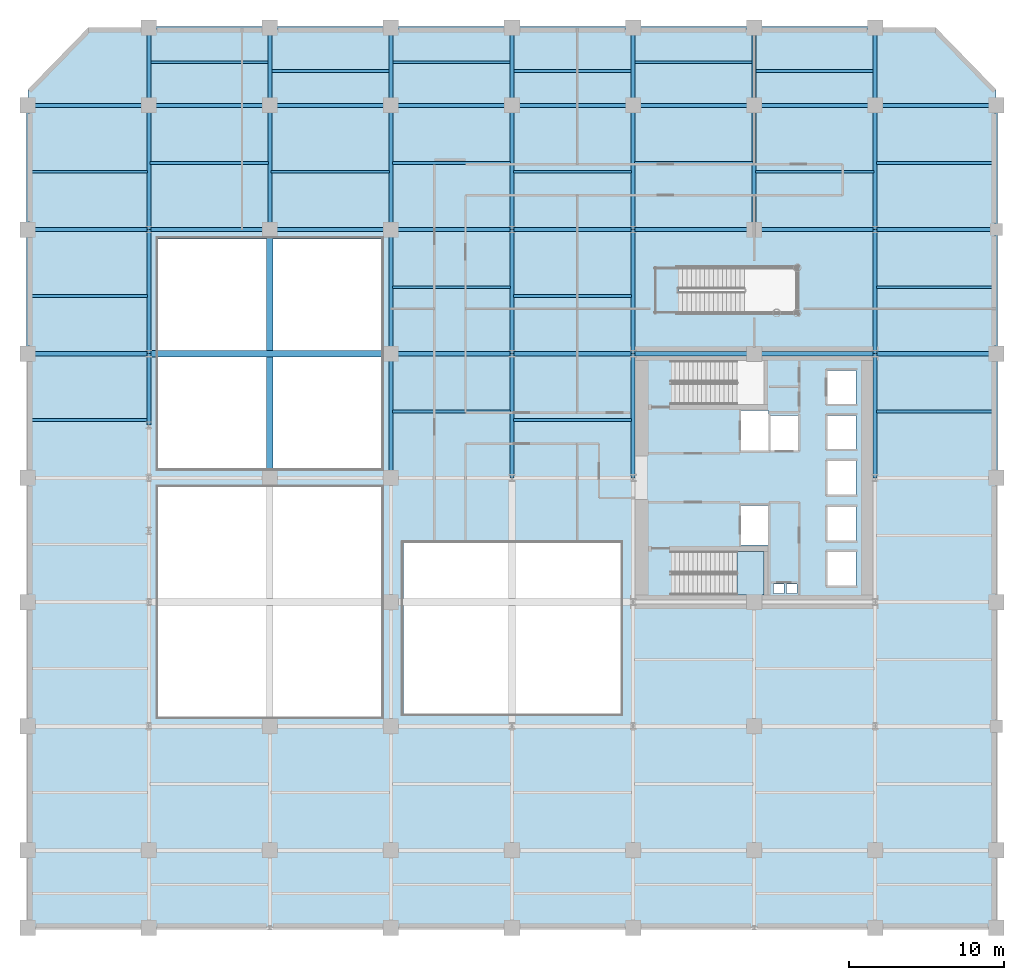
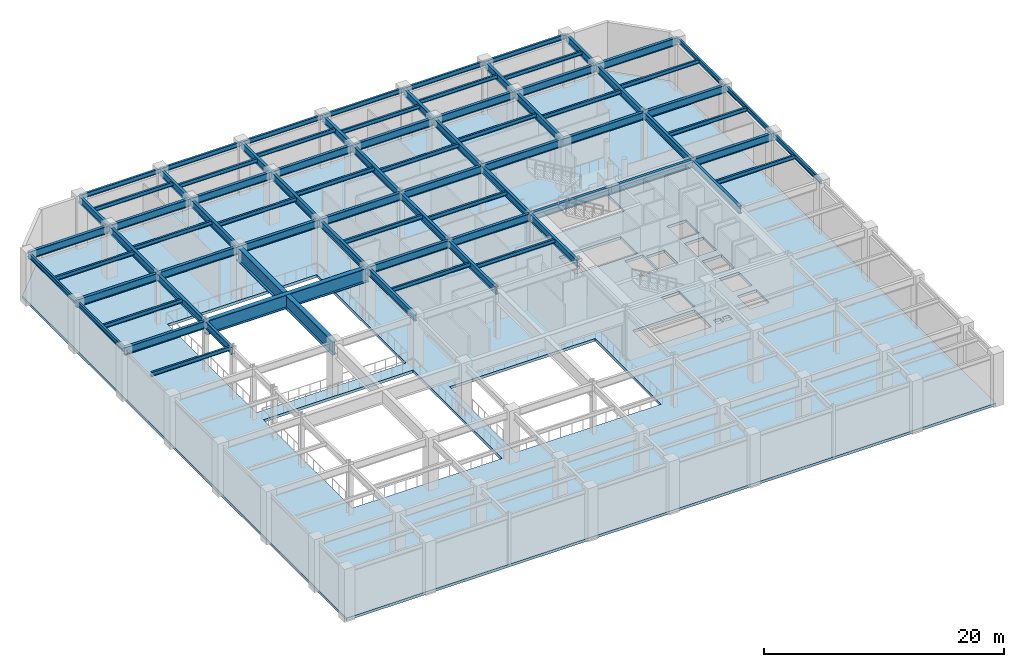
# One storey, part 7 of 15: 81 beams, 2 slabs, 1 element without a shape of its own.
"""IFC4 building model written with IfcOpenShell, lengths in metres."""

from ifc_helpers import new_model, si_unit, direction, frame, origin, origin_2d, place, context, subcontext, project, spatial, polyline, i_section, outline, extrude, material, layer, layer_set, material_profile, profile_set, type_object, element, aggregate, save


model = new_model("IFC4")

# Units and contexts
model_context = context("Model", 3, precision=1e-05, world=origin(), true_north=direction((0.0, 1.0)))
body_context = subcontext(model_context, "Body", "Model", "MODEL_VIEW")
ifc_project = project(units=[si_unit("LENGTHUNIT", "METRE"), si_unit("AREAUNIT", "SQUARE_METRE"), si_unit("VOLUMEUNIT", "CUBIC_METRE"), si_unit("PLANEANGLEUNIT", "RADIAN"), si_unit("MASSUNIT", "GRAM", prefix="KILO")], contexts=[model_context])

# Site, building, storey
site_placement = place(None, origin())
site = spatial("IfcSite", under=ifc_project, at=site_placement, CompositionType="ELEMENT")
building_placement = place(site_placement, origin())
building = spatial("IfcBuilding", under=site, at=building_placement, Name="Veymaron Broadcast Tower", CompositionType="ELEMENT")
storey_placement = place(building_placement, frame((0.0, 0.0, 5.39990234375)))
storey = spatial("IfcBuildingStorey", under=building, at=storey_placement, Name="L01", CompositionType="ELEMENT", Elevation=5.39990234375)

# Beams
ifc_material_1 = material(Name="Structural steel ASTM A992 Gr 50", Category="steel")
ifc_material_profile_1 = material_profile(ifc_material_1, i_section(OverallWidth=0.177978515625, OverallDepth=0.406982421875, WebThickness=0.0078125, FlangeThickness=0.0126953125, at=origin_2d()), Name="W410X60")
ifc_profile_set_1 = profile_set([ifc_material_profile_1], Name="Structural steel ASTM A992 Gr 50")
beam_type_1 = type_object("IfcBeamType", Name="BM-JS1", PredefinedType="JOIST", material=ifc_profile_set_1)
for number, where, z_axis, x_axis, name in (
    (1, (0.0849609375, 27.719970703125, 4.91650390625), (1.0, 0.0, 0.0), (0.0, 1.0, 0.0), "L01 podium secondary floor joist"),
    (2, (0.0849609375, 35.719970703125, 4.91650390625), (1.0, 0.0, 0.0), (0.0, 1.0, 0.0), "L01 podium secondary floor joist"),
    (3, (0.0849609375, 43.719970703125, 4.91650390625), (1.0, 0.0, 0.0), (0.0, 1.0, 0.0), "L01 podium secondary floor joist"),
):
    element("IfcBeam", number, at=place(storey_placement, frame(where, z_axis=z_axis, x_axis=x_axis)), inside=storey, type_object=beam_type_1, Name=name, PredefinedType="JOIST", context=body_context, shape_type="SweptSolid", body=[
        extrude(i_section(OverallWidth=0.177978515625, OverallDepth=0.406982421875, WebThickness=0.0078125, FlangeThickness=0.0126953125, at=origin_2d()), origin(), (0.0, 0.0, 1.0), 7.630126953125),
    ])
for number, where, z_axis, x_axis, name in (
    (4, (7.885009765625, 44.280029296875, 4.91650390625), (1.0, 0.0, 0.0), (0.0, 1.0, 0.0), "L01 podium secondary floor joist"),
    (5, (7.885009765625, 50.780029296875, 4.91650390625), (1.0, 0.0, 0.0), (0.0, 1.0, 0.0), "L01 podium secondary floor joist"),
    (6, (15.68505859375, 43.719970703125, 4.91650390625), (1.0, 0.0, 0.0), (0.0, 1.0, 0.0), "L01 podium secondary floor joist"),
    (7, (15.68505859375, 50.219970703125, 4.91650390625), (1.0, 0.0, 0.0), (0.0, 1.0, 0.0), "L01 podium secondary floor joist"),
    (8, (23.485107421875, 28.280029296875, 4.91650390625), (1.0, 0.0, 0.0), (0.0, 1.0, 0.0), "L01 podium secondary floor joist"),
    (9, (23.485107421875, 36.280029296875, 4.91650390625), (1.0, 0.0, 0.0), (0.0, 1.0, 0.0), "L01 podium secondary floor joist"),
    (10, (23.485107421875, 44.280029296875, 4.91650390625), (1.0, 0.0, 0.0), (0.0, 1.0, 0.0), "L01 podium secondary floor joist"),
    (11, (23.485107421875, 50.780029296875, 4.91650390625), (1.0, 0.0, 0.0), (0.0, 1.0, 0.0), "L01 podium secondary floor joist"),
):
    element("IfcBeam", number, at=place(storey_placement, frame(where, z_axis=z_axis, x_axis=x_axis)), inside=storey, type_object=beam_type_1, Name=name, PredefinedType="JOIST", context=body_context, shape_type="SweptSolid", body=[
        extrude(i_section(OverallWidth=0.177978515625, OverallDepth=0.406982421875, WebThickness=0.0078125, FlangeThickness=0.0126953125, at=origin_2d()), origin(), (0.0, 0.0, 1.0), 7.6298828125),
    ])
for number, where, z_axis, x_axis, name in (
    (12, (31.284912109375, 27.719970703125, 4.91650390625), (1.0, 0.0, 0.0), (0.0, 1.0, 0.0), "L01 podium secondary floor joist"),
    (13, (31.284912109375, 35.719970703125, 4.91650390625), (1.0, 0.0, 0.0), (0.0, 1.0, 0.0), "L01 podium secondary floor joist"),
    (14, (31.284912109375, 43.719970703125, 4.91650390625), (1.0, 0.0, 0.0), (0.0, 1.0, 0.0), "L01 podium secondary floor joist"),
    (15, (31.284912109375, 50.219970703125, 4.91650390625), (1.0, 0.0, 0.0), (0.0, 1.0, 0.0), "L01 podium secondary floor joist"),
    (16, (39.0849609375, 44.280029296875, 4.91650390625), (1.0, 0.0, 0.0), (0.0, 1.0, 0.0), "L01 podium secondary floor joist"),
    (17, (39.0849609375, 50.780029296875, 4.91650390625), (1.0, 0.0, 0.0), (0.0, 1.0, 0.0), "L01 podium secondary floor joist"),
):
    element("IfcBeam", number, at=place(storey_placement, frame(where, z_axis=z_axis, x_axis=x_axis)), inside=storey, type_object=beam_type_1, Name=name, PredefinedType="JOIST", context=body_context, shape_type="SweptSolid", body=[
        extrude(i_section(OverallWidth=0.177978515625, OverallDepth=0.406982421875, WebThickness=0.0078125, FlangeThickness=0.0126953125, at=origin_2d()), origin(), (0.0, 0.0, 1.0), 7.630126953125),
    ])
for number, where, z_axis, x_axis, name in (
    (18, (46.885009765625, 43.719970703125, 4.91650390625), (1.0, 0.0, 0.0), (0.0, 1.0, 0.0), "L01 podium secondary floor joist"),
    (19, (46.885009765625, 50.219970703125, 4.91650390625), (1.0, 0.0, 0.0), (0.0, 1.0, 0.0), "L01 podium secondary floor joist"),
    (20, (54.68505859375, 28.280029296875, 4.91650390625), (1.0, 0.0, 0.0), (0.0, 1.0, 0.0), "L01 podium secondary floor joist"),
    (21, (54.68505859375, 36.280029296875, 4.91650390625), (1.0, 0.0, 0.0), (0.0, 1.0, 0.0), "L01 podium secondary floor joist"),
    (22, (54.68505859375, 44.280029296875, 4.91650390625), (1.0, 0.0, 0.0), (0.0, 1.0, 0.0), "L01 podium secondary floor joist"),
):
    element("IfcBeam", number, at=place(storey_placement, frame(where, z_axis=z_axis, x_axis=x_axis)), inside=storey, type_object=beam_type_1, Name=name, PredefinedType="JOIST", context=body_context, shape_type="SweptSolid", body=[
        extrude(i_section(OverallWidth=0.177978515625, OverallDepth=0.406982421875, WebThickness=0.0078125, FlangeThickness=0.0126953125, at=origin_2d()), origin(), (0.0, 0.0, 1.0), 7.6298828125),
    ])
ifc_material_profile_2 = material_profile(ifc_material_1, i_section(OverallWidth=0.26806640625, OverallDepth=0.77001953125, WebThickness=0.015625, FlangeThickness=0.025390625, at=origin_2d()), Name="W760X196")
ifc_profile_set_2 = profile_set([ifc_material_profile_2], Name="Structural steel ASTM A992 Gr 50")
beam_type_2 = type_object("IfcBeamType", Name="BM-PG1", PredefinedType="BEAM", material=ifc_profile_set_2)
for number, where, z_axis, x_axis, name in (
    (23, (0.0, 32.0, 4.735107421875), (1.0, 0.0, 0.0), (0.0, 1.0, 0.0), "L01 podium primary X-girder"),
    (24, (23.39990234375, 32.0, 4.735107421875), (1.0, 0.0, 0.0), (0.0, 1.0, 0.0), "L01 podium primary X-girder"),
    (25, (31.199951171875, 32.0, 4.735107421875), (1.0, 0.0, 0.0), (0.0, 1.0, 0.0), "L01 podium primary X-girder"),
    (26, (39.0, 32.0, 4.735107421875), (1.0, 0.0, 0.0), (0.0, 1.0, 0.0), "L01 podium primary X-girder"),
    (27, (46.800048828125, 32.0, 4.735107421875), (1.0, 0.0, 0.0), (0.0, 1.0, 0.0), "L01 podium primary X-girder"),
):
    element("IfcBeam", number, at=place(storey_placement, frame(where, z_axis=z_axis, x_axis=x_axis)), inside=storey, type_object=beam_type_2, Name=name, PredefinedType="BEAM", context=body_context, shape_type="SweptSolid", body=[
        extrude(i_section(OverallWidth=0.26806640625, OverallDepth=0.77001953125, WebThickness=0.015625, FlangeThickness=0.025390625, at=origin_2d()), origin(), (0.0, 0.0, 1.0), 7.800048828125),
    ])
beam_1_placement = place(storey_placement, frame((54.60009765625, 32.0, 4.735107421875), z_axis=(1.0, 0.0, 0.0), x_axis=(0.0, 1.0, 0.0)))
element("IfcBeam", 28, at=beam_1_placement, inside=storey, type_object=beam_type_2, Name="L01 podium primary X-girder", PredefinedType="BEAM", context=body_context, shape_type="SweptSolid", body=[
    extrude(i_section(OverallWidth=0.26806640625, OverallDepth=0.77001953125, WebThickness=0.015625, FlangeThickness=0.025390625, at=origin_2d()), origin(), (0.0, 0.0, 1.0), 7.7998046875),
])
for number, where, z_axis, x_axis, name in (
    (29, (0.0, 40.0, 4.735107421875), (1.0, 0.0, 0.0), (0.0, 1.0, 0.0), "L01 podium primary X-girder"),
    (30, (7.800048828125, 40.0, 4.735107421875), (1.0, 0.0, 0.0), (0.0, 1.0, 0.0), "L01 podium primary X-girder"),
):
    element("IfcBeam", number, at=place(storey_placement, frame(where, z_axis=z_axis, x_axis=x_axis)), inside=storey, type_object=beam_type_2, Name=name, PredefinedType="BEAM", context=body_context, shape_type="SweptSolid", body=[
        extrude(i_section(OverallWidth=0.26806640625, OverallDepth=0.77001953125, WebThickness=0.015625, FlangeThickness=0.025390625, at=origin_2d()), origin(), (0.0, 0.0, 1.0), 7.800048828125),
    ])
beam_2_placement = place(storey_placement, frame((15.60009765625, 40.0, 4.735107421875), z_axis=(1.0, 0.0, 0.0), x_axis=(0.0, 1.0, 0.0)))
element("IfcBeam", 31, at=beam_2_placement, inside=storey, type_object=beam_type_2, Name="L01 podium primary X-girder", PredefinedType="BEAM", context=body_context, shape_type="SweptSolid", body=[
    extrude(i_section(OverallWidth=0.26806640625, OverallDepth=0.77001953125, WebThickness=0.015625, FlangeThickness=0.025390625, at=origin_2d()), origin(), (0.0, 0.0, 1.0), 7.7998046875),
])
for number, where, z_axis, x_axis, name in (
    (32, (23.39990234375, 40.0, 4.735107421875), (1.0, 0.0, 0.0), (0.0, 1.0, 0.0), "L01 podium primary X-girder"),
    (33, (31.199951171875, 40.0, 4.735107421875), (1.0, 0.0, 0.0), (0.0, 1.0, 0.0), "L01 podium primary X-girder"),
    (34, (39.0, 40.0, 4.735107421875), (1.0, 0.0, 0.0), (0.0, 1.0, 0.0), "L01 podium primary X-girder"),
    (35, (46.800048828125, 40.0, 4.735107421875), (1.0, 0.0, 0.0), (0.0, 1.0, 0.0), "L01 podium primary X-girder"),
):
    element("IfcBeam", number, at=place(storey_placement, frame(where, z_axis=z_axis, x_axis=x_axis)), inside=storey, type_object=beam_type_2, Name=name, PredefinedType="BEAM", context=body_context, shape_type="SweptSolid", body=[
        extrude(i_section(OverallWidth=0.26806640625, OverallDepth=0.77001953125, WebThickness=0.015625, FlangeThickness=0.025390625, at=origin_2d()), origin(), (0.0, 0.0, 1.0), 7.800048828125),
    ])
beam_3_placement = place(storey_placement, frame((54.60009765625, 40.0, 4.735107421875), z_axis=(1.0, 0.0, 0.0), x_axis=(0.0, 1.0, 0.0)))
element("IfcBeam", 36, at=beam_3_placement, inside=storey, type_object=beam_type_2, Name="L01 podium primary X-girder", PredefinedType="BEAM", context=body_context, shape_type="SweptSolid", body=[
    extrude(i_section(OverallWidth=0.26806640625, OverallDepth=0.77001953125, WebThickness=0.015625, FlangeThickness=0.025390625, at=origin_2d()), origin(), (0.0, 0.0, 1.0), 7.7998046875),
])
for number, where, z_axis, x_axis, name in (
    (37, (0.0, 48.0, 4.735107421875), (1.0, 0.0, 0.0), (0.0, 1.0, 0.0), "L01 podium primary X-girder"),
    (38, (7.800048828125, 48.0, 4.735107421875), (1.0, 0.0, 0.0), (0.0, 1.0, 0.0), "L01 podium primary X-girder"),
):
    element("IfcBeam", number, at=place(storey_placement, frame(where, z_axis=z_axis, x_axis=x_axis)), inside=storey, type_object=beam_type_2, Name=name, PredefinedType="BEAM", context=body_context, shape_type="SweptSolid", body=[
        extrude(i_section(OverallWidth=0.26806640625, OverallDepth=0.77001953125, WebThickness=0.015625, FlangeThickness=0.025390625, at=origin_2d()), origin(), (0.0, 0.0, 1.0), 7.800048828125),
    ])
beam_4_placement = place(storey_placement, frame((15.60009765625, 48.0, 4.735107421875), z_axis=(1.0, 0.0, 0.0), x_axis=(0.0, 1.0, 0.0)))
element("IfcBeam", 39, at=beam_4_placement, inside=storey, type_object=beam_type_2, Name="L01 podium primary X-girder", PredefinedType="BEAM", context=body_context, shape_type="SweptSolid", body=[
    extrude(i_section(OverallWidth=0.26806640625, OverallDepth=0.77001953125, WebThickness=0.015625, FlangeThickness=0.025390625, at=origin_2d()), origin(), (0.0, 0.0, 1.0), 7.7998046875),
])
for number, where, z_axis, x_axis, name in (
    (40, (23.39990234375, 48.0, 4.735107421875), (1.0, 0.0, 0.0), (0.0, 1.0, 0.0), "L01 podium primary X-girder"),
    (41, (31.199951171875, 48.0, 4.735107421875), (1.0, 0.0, 0.0), (0.0, 1.0, 0.0), "L01 podium primary X-girder"),
    (42, (39.0, 48.0, 4.735107421875), (1.0, 0.0, 0.0), (0.0, 1.0, 0.0), "L01 podium primary X-girder"),
    (43, (46.800048828125, 48.0, 4.735107421875), (1.0, 0.0, 0.0), (0.0, 1.0, 0.0), "L01 podium primary X-girder"),
):
    element("IfcBeam", number, at=place(storey_placement, frame(where, z_axis=z_axis, x_axis=x_axis)), inside=storey, type_object=beam_type_2, Name=name, PredefinedType="BEAM", context=body_context, shape_type="SweptSolid", body=[
        extrude(i_section(OverallWidth=0.26806640625, OverallDepth=0.77001953125, WebThickness=0.015625, FlangeThickness=0.025390625, at=origin_2d()), origin(), (0.0, 0.0, 1.0), 7.800048828125),
    ])
beam_5_placement = place(storey_placement, frame((54.60009765625, 48.0, 4.735107421875), z_axis=(1.0, 0.0, 0.0), x_axis=(0.0, 1.0, 0.0)))
element("IfcBeam", 44, at=beam_5_placement, inside=storey, type_object=beam_type_2, Name="L01 podium primary X-girder", PredefinedType="BEAM", context=body_context, shape_type="SweptSolid", body=[
    extrude(i_section(OverallWidth=0.26806640625, OverallDepth=0.77001953125, WebThickness=0.015625, FlangeThickness=0.025390625, at=origin_2d()), origin(), (0.0, 0.0, 1.0), 7.7998046875),
])
ifc_material_profile_3 = material_profile(ifc_material_1, i_section(OverallWidth=0.256103515625, OverallDepth=0.693115234375, WebThickness=0.014404296875, FlangeThickness=0.023681640625, at=origin_2d()), Name="W690X170")
ifc_profile_set_3 = profile_set([ifc_material_profile_3], Name="Structural steel ASTM A992 Gr 50")
beam_type_3 = type_object("IfcBeamType", Name="BM-PG2", PredefinedType="BEAM", material=ifc_profile_set_3)
beam_6_placement = place(storey_placement, frame((7.800048828125, 27.39990234375, 4.773681640625), z_axis=(0.0, 1.0, 0.0), x_axis=(-1.0, 0.0, 0.0)))
element("IfcBeam", 45, at=beam_6_placement, inside=storey, type_object=beam_type_3, Name="L01 podium primary Y-girder", PredefinedType="BEAM", context=body_context, shape_type="SweptSolid", body=[
    extrude(i_section(OverallWidth=0.256103515625, OverallDepth=0.693115234375, WebThickness=0.014404296875, FlangeThickness=0.023681640625, at=origin_2d()), origin(), (0.0, 0.0, 1.0), 4.60009765625),
])
for number, where, z_axis, x_axis, name in (
    (46, (7.800048828125, 32.0, 4.773681640625), (0.0, 1.0, 0.0), (-1.0, 0.0, 0.0), "L01 podium primary Y-girder"),
    (47, (7.800048828125, 40.0, 4.773681640625), (0.0, 1.0, 0.0), (-1.0, 0.0, 0.0), "L01 podium primary Y-girder"),
):
    element("IfcBeam", number, at=place(storey_placement, frame(where, z_axis=z_axis, x_axis=x_axis)), inside=storey, type_object=beam_type_3, Name=name, PredefinedType="BEAM", context=body_context, shape_type="SweptSolid", body=[
        extrude(i_section(OverallWidth=0.256103515625, OverallDepth=0.693115234375, WebThickness=0.014404296875, FlangeThickness=0.023681640625, at=origin_2d()), origin(), (0.0, 0.0, 1.0), 8.0),
    ])
beam_7_placement = place(storey_placement, frame((7.800048828125, 48.0, 4.773681640625), z_axis=(0.0, 1.0, 0.0), x_axis=(-1.0, 0.0, 0.0)))
element("IfcBeam", 48, at=beam_7_placement, inside=storey, type_object=beam_type_3, Name="L01 podium primary Y-girder", PredefinedType="BEAM", context=body_context, shape_type="SweptSolid", body=[
    extrude(i_section(OverallWidth=0.256103515625, OverallDepth=0.693115234375, WebThickness=0.014404296875, FlangeThickness=0.023681640625, at=origin_2d()), origin(), (0.0, 0.0, 1.0), 5.0),
])
beam_8_placement = place(storey_placement, frame((15.60009765625, 40.0, 4.773681640625), z_axis=(0.0, 1.0, 0.0), x_axis=(-1.0, 0.0, 0.0)))
element("IfcBeam", 49, at=beam_8_placement, inside=storey, type_object=beam_type_3, Name="L01 podium primary Y-girder", PredefinedType="BEAM", context=body_context, shape_type="SweptSolid", body=[
    extrude(i_section(OverallWidth=0.256103515625, OverallDepth=0.693115234375, WebThickness=0.014404296875, FlangeThickness=0.023681640625, at=origin_2d()), origin(), (0.0, 0.0, 1.0), 8.0),
])
beam_9_placement = place(storey_placement, frame((15.60009765625, 48.0, 4.773681640625), z_axis=(0.0, 1.0, 0.0), x_axis=(-1.0, 0.0, 0.0)))
element("IfcBeam", 50, at=beam_9_placement, inside=storey, type_object=beam_type_3, Name="L01 podium primary Y-girder", PredefinedType="BEAM", context=body_context, shape_type="SweptSolid", body=[
    extrude(i_section(OverallWidth=0.256103515625, OverallDepth=0.693115234375, WebThickness=0.014404296875, FlangeThickness=0.023681640625, at=origin_2d()), origin(), (0.0, 0.0, 1.0), 5.0),
])
for number, where, z_axis, x_axis, name in (
    (51, (23.39990234375, 24.0, 4.773681640625), (0.0, 1.0, 0.0), (-1.0, 0.0, 0.0), "L01 podium primary Y-girder"),
    (52, (23.39990234375, 32.0, 4.773681640625), (0.0, 1.0, 0.0), (-1.0, 0.0, 0.0), "L01 podium primary Y-girder"),
    (53, (23.39990234375, 40.0, 4.773681640625), (0.0, 1.0, 0.0), (-1.0, 0.0, 0.0), "L01 podium primary Y-girder"),
):
    element("IfcBeam", number, at=place(storey_placement, frame(where, z_axis=z_axis, x_axis=x_axis)), inside=storey, type_object=beam_type_3, Name=name, PredefinedType="BEAM", context=body_context, shape_type="SweptSolid", body=[
        extrude(i_section(OverallWidth=0.256103515625, OverallDepth=0.693115234375, WebThickness=0.014404296875, FlangeThickness=0.023681640625, at=origin_2d()), origin(), (0.0, 0.0, 1.0), 8.0),
    ])
beam_10_placement = place(storey_placement, frame((23.39990234375, 48.0, 4.773681640625), z_axis=(0.0, 1.0, 0.0), x_axis=(-1.0, 0.0, 0.0)))
element("IfcBeam", 54, at=beam_10_placement, inside=storey, type_object=beam_type_3, Name="L01 podium primary Y-girder", PredefinedType="BEAM", context=body_context, shape_type="SweptSolid", body=[
    extrude(i_section(OverallWidth=0.256103515625, OverallDepth=0.693115234375, WebThickness=0.014404296875, FlangeThickness=0.023681640625, at=origin_2d()), origin(), (0.0, 0.0, 1.0), 5.0),
])
for number, where, z_axis, x_axis, name in (
    (55, (31.199951171875, 24.0, 4.773681640625), (0.0, 1.0, 0.0), (-1.0, 0.0, 0.0), "L01 podium primary Y-girder"),
    (56, (31.199951171875, 32.0, 4.773681640625), (0.0, 1.0, 0.0), (-1.0, 0.0, 0.0), "L01 podium primary Y-girder"),
    (57, (31.199951171875, 40.0, 4.773681640625), (0.0, 1.0, 0.0), (-1.0, 0.0, 0.0), "L01 podium primary Y-girder"),
):
    element("IfcBeam", number, at=place(storey_placement, frame(where, z_axis=z_axis, x_axis=x_axis)), inside=storey, type_object=beam_type_3, Name=name, PredefinedType="BEAM", context=body_context, shape_type="SweptSolid", body=[
        extrude(i_section(OverallWidth=0.256103515625, OverallDepth=0.693115234375, WebThickness=0.014404296875, FlangeThickness=0.023681640625, at=origin_2d()), origin(), (0.0, 0.0, 1.0), 8.0),
    ])
beam_11_placement = place(storey_placement, frame((31.199951171875, 48.0, 4.773681640625), z_axis=(0.0, 1.0, 0.0), x_axis=(-1.0, 0.0, 0.0)))
element("IfcBeam", 58, at=beam_11_placement, inside=storey, type_object=beam_type_3, Name="L01 podium primary Y-girder", PredefinedType="BEAM", context=body_context, shape_type="SweptSolid", body=[
    extrude(i_section(OverallWidth=0.256103515625, OverallDepth=0.693115234375, WebThickness=0.014404296875, FlangeThickness=0.023681640625, at=origin_2d()), origin(), (0.0, 0.0, 1.0), 5.0),
])
for number, where, z_axis, x_axis, name in (
    (59, (39.0, 24.0, 4.773681640625), (0.0, 1.0, 0.0), (-1.0, 0.0, 0.0), "L01 podium primary Y-girder"),
    (60, (39.0, 32.0, 4.773681640625), (0.0, 1.0, 0.0), (-1.0, 0.0, 0.0), "L01 podium primary Y-girder"),
    (61, (39.0, 40.0, 4.773681640625), (0.0, 1.0, 0.0), (-1.0, 0.0, 0.0), "L01 podium primary Y-girder"),
):
    element("IfcBeam", number, at=place(storey_placement, frame(where, z_axis=z_axis, x_axis=x_axis)), inside=storey, type_object=beam_type_3, Name=name, PredefinedType="BEAM", context=body_context, shape_type="SweptSolid", body=[
        extrude(i_section(OverallWidth=0.256103515625, OverallDepth=0.693115234375, WebThickness=0.014404296875, FlangeThickness=0.023681640625, at=origin_2d()), origin(), (0.0, 0.0, 1.0), 8.0),
    ])
beam_12_placement = place(storey_placement, frame((39.0, 48.0, 4.773681640625), z_axis=(0.0, 1.0, 0.0), x_axis=(-1.0, 0.0, 0.0)))
element("IfcBeam", 62, at=beam_12_placement, inside=storey, type_object=beam_type_3, Name="L01 podium primary Y-girder", PredefinedType="BEAM", context=body_context, shape_type="SweptSolid", body=[
    extrude(i_section(OverallWidth=0.256103515625, OverallDepth=0.693115234375, WebThickness=0.014404296875, FlangeThickness=0.023681640625, at=origin_2d()), origin(), (0.0, 0.0, 1.0), 5.0),
])
beam_13_placement = place(storey_placement, frame((46.800048828125, 40.0, 4.773681640625), z_axis=(0.0, 1.0, 0.0), x_axis=(-1.0, 0.0, 0.0)))
element("IfcBeam", 63, at=beam_13_placement, inside=storey, type_object=beam_type_3, Name="L01 podium primary Y-girder", PredefinedType="BEAM", context=body_context, shape_type="SweptSolid", body=[
    extrude(i_section(OverallWidth=0.256103515625, OverallDepth=0.693115234375, WebThickness=0.014404296875, FlangeThickness=0.023681640625, at=origin_2d()), origin(), (0.0, 0.0, 1.0), 8.0),
])
beam_14_placement = place(storey_placement, frame((46.800048828125, 48.0, 4.773681640625), z_axis=(0.0, 1.0, 0.0), x_axis=(-1.0, 0.0, 0.0)))
element("IfcBeam", 64, at=beam_14_placement, inside=storey, type_object=beam_type_3, Name="L01 podium primary Y-girder", PredefinedType="BEAM", context=body_context, shape_type="SweptSolid", body=[
    extrude(i_section(OverallWidth=0.256103515625, OverallDepth=0.693115234375, WebThickness=0.014404296875, FlangeThickness=0.023681640625, at=origin_2d()), origin(), (0.0, 0.0, 1.0), 5.0),
])
for number, where, z_axis, x_axis, name in (
    (65, (54.60009765625, 24.0, 4.773681640625), (0.0, 1.0, 0.0), (-1.0, 0.0, 0.0), "L01 podium primary Y-girder"),
    (66, (54.60009765625, 32.0, 4.773681640625), (0.0, 1.0, 0.0), (-1.0, 0.0, 0.0), "L01 podium primary Y-girder"),
    (67, (54.60009765625, 40.0, 4.773681640625), (0.0, 1.0, 0.0), (-1.0, 0.0, 0.0), "L01 podium primary Y-girder"),
):
    element("IfcBeam", number, at=place(storey_placement, frame(where, z_axis=z_axis, x_axis=x_axis)), inside=storey, type_object=beam_type_3, Name=name, PredefinedType="BEAM", context=body_context, shape_type="SweptSolid", body=[
        extrude(i_section(OverallWidth=0.256103515625, OverallDepth=0.693115234375, WebThickness=0.014404296875, FlangeThickness=0.023681640625, at=origin_2d()), origin(), (0.0, 0.0, 1.0), 8.0),
    ])
beam_15_placement = place(storey_placement, frame((54.60009765625, 48.0, 4.773681640625), z_axis=(0.0, 1.0, 0.0), x_axis=(-1.0, 0.0, 0.0)))
element("IfcBeam", 68, at=beam_15_placement, inside=storey, type_object=beam_type_3, Name="L01 podium primary Y-girder", PredefinedType="BEAM", context=body_context, shape_type="SweptSolid", body=[
    extrude(i_section(OverallWidth=0.256103515625, OverallDepth=0.693115234375, WebThickness=0.014404296875, FlangeThickness=0.023681640625, at=origin_2d()), origin(), (0.0, 0.0, 1.0), 5.0),
])
ifc_material_profile_4 = material_profile(ifc_material_1, i_section(OverallWidth=0.19091796875, OverallDepth=0.4599609375, WebThickness=0.010009765625, FlangeThickness=0.01611328125, at=origin_2d()), Name="W460X82")
ifc_profile_set_4 = profile_set([ifc_material_profile_4], Name="Structural steel ASTM A992 Gr 50")
beam_type_4 = type_object("IfcBeamType", Name="BM-SP1", PredefinedType="SPANDREL", material=ifc_profile_set_4)
beam_16_placement = place(storey_placement, frame((7.800048828125, 53.0, 4.89013671875), z_axis=(1.0, 0.0, 0.0), x_axis=(0.0, 1.0, 0.0)))
element("IfcBeam", 69, at=beam_16_placement, inside=storey, type_object=beam_type_4, Name="L01 podium primary X-girder", PredefinedType="SPANDREL", context=body_context, shape_type="SweptSolid", body=[
    extrude(i_section(OverallWidth=0.19091796875, OverallDepth=0.4599609375, WebThickness=0.010009765625, FlangeThickness=0.01611328125, at=origin_2d()), origin(), (0.0, 0.0, 1.0), 7.800048828125),
])
beam_17_placement = place(storey_placement, frame((15.60009765625, 53.0, 4.89013671875), z_axis=(1.0, 0.0, 0.0), x_axis=(0.0, 1.0, 0.0)))
element("IfcBeam", 70, at=beam_17_placement, inside=storey, type_object=beam_type_4, Name="L01 podium primary X-girder", PredefinedType="SPANDREL", context=body_context, shape_type="SweptSolid", body=[
    extrude(i_section(OverallWidth=0.19091796875, OverallDepth=0.4599609375, WebThickness=0.010009765625, FlangeThickness=0.01611328125, at=origin_2d()), origin(), (0.0, 0.0, 1.0), 7.7998046875),
])
for number, where, z_axis, x_axis, name in (
    (71, (23.39990234375, 53.0, 4.89013671875), (1.0, 0.0, 0.0), (0.0, 1.0, 0.0), "L01 podium primary X-girder"),
    (72, (31.199951171875, 53.0, 4.89013671875), (1.0, 0.0, 0.0), (0.0, 1.0, 0.0), "L01 podium primary X-girder"),
    (73, (39.0, 53.0, 4.89013671875), (1.0, 0.0, 0.0), (0.0, 1.0, 0.0), "L01 podium primary X-girder"),
    (74, (46.800048828125, 53.0, 4.89013671875), (1.0, 0.0, 0.0), (0.0, 1.0, 0.0), "L01 podium primary X-girder"),
):
    element("IfcBeam", number, at=place(storey_placement, frame(where, z_axis=z_axis, x_axis=x_axis)), inside=storey, type_object=beam_type_4, Name=name, PredefinedType="SPANDREL", context=body_context, shape_type="SweptSolid", body=[
        extrude(i_section(OverallWidth=0.19091796875, OverallDepth=0.4599609375, WebThickness=0.010009765625, FlangeThickness=0.01611328125, at=origin_2d()), origin(), (0.0, 0.0, 1.0), 7.800048828125),
    ])
for number, where, z_axis, x_axis, name in (
    (75, (0.0, 32.0, 4.89013671875), (0.0, 1.0, 0.0), (-1.0, 0.0, 0.0), "L01 podium primary Y-girder"),
    (76, (0.0, 40.0, 4.89013671875), (0.0, 1.0, 0.0), (-1.0, 0.0, 0.0), "L01 podium primary Y-girder"),
    (77, (62.39990234375, 24.0, 4.89013671875), (0.0, 1.0, 0.0), (-1.0, 0.0, 0.0), "L01 podium primary Y-girder"),
    (78, (62.39990234375, 32.0, 4.89013671875), (0.0, 1.0, 0.0), (-1.0, 0.0, 0.0), "L01 podium primary Y-girder"),
    (79, (62.39990234375, 40.0, 4.89013671875), (0.0, 1.0, 0.0), (-1.0, 0.0, 0.0), "L01 podium primary Y-girder"),
):
    element("IfcBeam", number, at=place(storey_placement, frame(where, z_axis=z_axis, x_axis=x_axis)), inside=storey, type_object=beam_type_4, Name=name, PredefinedType="SPANDREL", context=body_context, shape_type="SweptSolid", body=[
        extrude(i_section(OverallWidth=0.19091796875, OverallDepth=0.4599609375, WebThickness=0.010009765625, FlangeThickness=0.01611328125, at=origin_2d()), origin(), (0.0, 0.0, 1.0), 8.0),
    ])
ifc_material_2 = material(Name="Structural steel ASTM A913 Gr 65", Category="steel")
ifc_material_profile_5 = material_profile(ifc_material_2, i_section(OverallWidth=0.429931640625, OverallDepth=1.419921875, WebThickness=0.030029296875, FlangeThickness=0.050048828125, at=origin_2d()), Name="W1400X550")
ifc_profile_set_5 = profile_set([ifc_material_profile_5], Name="Structural steel ASTM A913 Gr 65")
beam_type_5 = type_object("IfcBeamType", Name="BM-TG0", PredefinedType="BEAM", material=ifc_profile_set_5)
beam_18_placement = place(storey_placement, frame((7.800048828125, 32.0, 4.41015625), z_axis=(1.0, 0.0, 0.0), x_axis=(0.0, 1.0, 0.0)))
element("IfcBeam", 80, at=beam_18_placement, inside=storey, type_object=beam_type_5, Name="L01 podium primary X-girder", PredefinedType="BEAM", context=body_context, shape_type="SweptSolid", body=[
    extrude(i_section(OverallWidth=0.429931640625, OverallDepth=1.419921875, WebThickness=0.030029296875, FlangeThickness=0.050048828125, at=origin_2d()), origin(), (0.0, 0.0, 1.0), 15.599853515625),
])
beam_19_placement = place(storey_placement, frame((15.60009765625, 24.0, 4.41015625), z_axis=(0.0, 1.0, 0.0), x_axis=(-1.0, 0.0, 0.0)))
element("IfcBeam", 81, at=beam_19_placement, inside=storey, type_object=beam_type_5, Name="L01 podium primary Y-girder", PredefinedType="BEAM", context=body_context, shape_type="SweptSolid", body=[
    extrude(i_section(OverallWidth=0.429931640625, OverallDepth=1.419921875, WebThickness=0.030029296875, FlangeThickness=0.050048828125, at=origin_2d()), origin(), (0.0, 0.0, 1.0), 16.0),
])

# Slab
ifc_material_3 = material(Name="Concrete C40/50", Category="concrete")
ifc_layer_1 = layer(ifc_material_3, 0.280029296875)
ifc_layer_set_1 = layer_set([ifc_layer_1], Name="Concrete C40/50")
slab_type_1 = type_object("IfcSlabType", Name="SLAB-FS3", PredefinedType="FLOOR", material=ifc_layer_set_1)
slab_1_placement = place(storey_placement, frame((0.0, 0.0, -0.27978515625)))
element("IfcSlab", 82, at=slab_1_placement, inside=storey, type_object=slab_type_1, Name="L01 structural floor slab", PredefinedType="FLOOR", context=body_context, shape_type="SweptSolid", body=[
    extrude(outline(polyline([(0.0, -5.0), (62.39990234375, -5.0), (62.39990234375, 49.0), (58.5, 53.0), (3.89990234375, 53.0), (0.0, 49.0), (0.0, -5.0)]), holes=[polyline([(45.969970703125, 28.330078125), (47.72998046875, 28.330078125), (47.72998046875, 25.77001953125), (45.969970703125, 25.77001953125), (45.969970703125, 28.330078125)]), polyline([(45.969970703125, 22.22998046875), (47.72998046875, 22.22998046875), (47.72998046875, 19.669921875), (45.969970703125, 19.669921875), (45.969970703125, 22.22998046875)]), polyline([(47.8701171875, 28.030029296875), (49.6298828125, 28.030029296875), (49.6298828125, 25.77001953125), (47.8701171875, 25.77001953125), (47.8701171875, 28.030029296875)]), polyline([(51.52001953125, 30.929931640625), (53.3798828125, 30.929931640625), (53.3798828125, 28.77001953125), (51.52001953125, 28.77001953125), (51.52001953125, 30.929931640625)]), polyline([(51.52001953125, 28.030029296875), (53.3798828125, 28.030029296875), (53.3798828125, 25.8701171875), (51.52001953125, 25.8701171875), (51.52001953125, 28.030029296875)]), polyline([(51.52001953125, 22.1298828125), (53.3798828125, 22.1298828125), (53.3798828125, 19.969970703125), (51.52001953125, 19.969970703125), (51.52001953125, 22.1298828125)]), polyline([(51.52001953125, 25.080078125), (53.3798828125, 25.080078125), (53.3798828125, 22.919921875), (51.52001953125, 22.919921875), (51.52001953125, 25.080078125)]), polyline([(51.52001953125, 19.22998046875), (53.3798828125, 19.22998046875), (53.3798828125, 17.070068359375), (51.52001953125, 17.070068359375), (51.52001953125, 19.22998046875)]), polyline([(8.39990234375, 23.39990234375), (22.800048828125, 23.39990234375), (22.800048828125, 8.60009765625), (8.39990234375, 8.60009765625), (8.39990234375, 23.39990234375)]), polyline([(8.39990234375, 39.39990234375), (22.800048828125, 39.39990234375), (22.800048828125, 24.60009765625), (8.39990234375, 24.60009765625), (8.39990234375, 39.39990234375)]), polyline([(24.199951171875, 19.800048828125), (38.199951171875, 19.800048828125), (38.199951171875, 8.800048828125), (24.199951171875, 8.800048828125), (24.199951171875, 19.800048828125)]), polyline([(48.050048828125, 17.159912109375), (48.719970703125, 17.159912109375), (48.719970703125, 16.56005859375), (48.050048828125, 16.56005859375), (48.050048828125, 17.159912109375)]), polyline([(48.8798828125, 17.159912109375), (49.550048828125, 17.159912109375), (49.550048828125, 16.56005859375), (48.8798828125, 16.56005859375), (48.8798828125, 17.159912109375)]), polyline([(41.489990234375, 31.550048828125), (47.43994140625, 31.550048828125), (47.43994140625, 28.72998046875), (41.489990234375, 28.72998046875), (41.489990234375, 31.550048828125)]), polyline([(41.489990234375, 19.27001953125), (47.43994140625, 19.27001953125), (47.43994140625, 16.449951171875), (41.489990234375, 16.449951171875), (41.489990234375, 19.27001953125)]), polyline([(41.9599609375, 37.56005859375), (49.60009765625, 37.56005859375), (49.60009765625, 34.60009765625), (41.9599609375, 34.60009765625), (41.9599609375, 37.56005859375)])]), origin(), (0.0, 0.0, 1.0), 0.27978515625),
])

# Stair, slab
ifc_material_4 = material(Name="Concrete C50/60", Category="concrete")
stair_type = type_object("IfcStairType", Name="STAIR-CORE-2", PredefinedType="HALF_TURN_STAIR", material=ifc_material_4)
stair_placement = place(storey_placement, origin())
stair = element("IfcStair", 83, at=stair_placement, inside=storey, type_object=stair_type, Name="L01 South protected dog-leg exit stair ST2", PredefinedType="HALF_TURN_STAIR")
ifc_layer_2 = layer(ifc_material_4, 0.199951171875)
ifc_layer_set_2 = layer_set([ifc_layer_2], Name="Concrete C50/60")
slab_type_2 = type_object("IfcSlabType", Name="SLAB-STAIR-LDG", PredefinedType="LANDING", material=ifc_layer_set_2)
slab_2_placement = place(storey_placement, frame((0.0, 0.0, 2.5)))
slab_2 = element("IfcSlab", 84, at=slab_2_placement, type_object=slab_type_2, Name="ST2 landing 1", PredefinedType="LANDING", context=body_context, shape_type="SweptSolid", body=[
    extrude(outline(polyline([(45.705078125, 16.449951171875), (47.43994140625, 16.449951171875), (47.43994140625, 19.27001953125), (45.705078125, 19.27001953125), (45.705078125, 16.449951171875)])), origin(), (0.0, 0.0, 1.0), 0.2001953125),
])
aggregate(stair, [slab_2])

save(model, "model.ifc")
